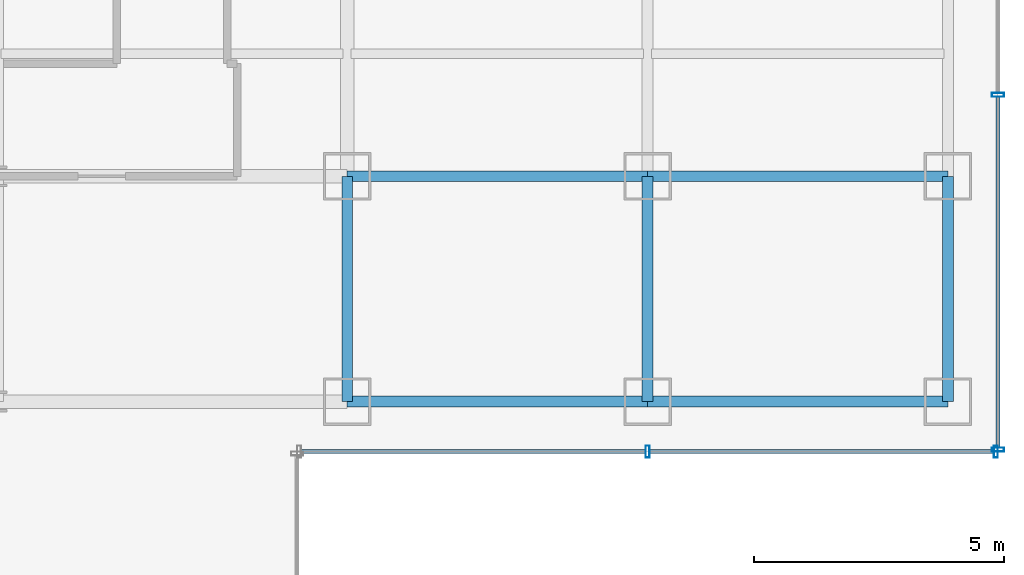
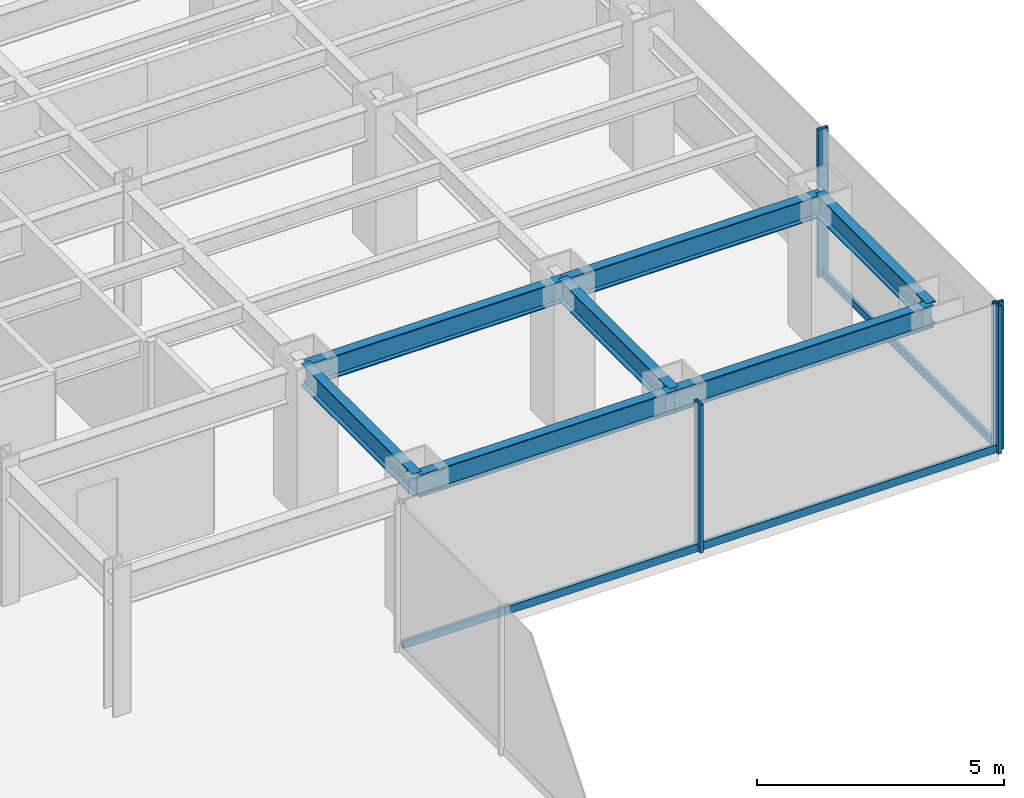
# One storey, part 7 of 22: 7 beams, 7 members, 2 elements without a shape of their own.
"""IFC4 building model written with IfcOpenShell, lengths in metres."""

from ifc_helpers import new_model, si_unit, derived_unit, direction, frame, origin, origin_2d, place, context, subcontext, project, spatial, hollow_rectangle, i_section, extrude, source, transform, mapped, material, material_profile, profile_set, type_object, element, aggregate, save


model = new_model("IFC4")

# Units and contexts
model_context = context("Model", 3, precision=1e-05, world=origin(), true_north=direction((0.0, 1.0)))
body_context = subcontext(model_context, "Body", "Model", "MODEL_VIEW")
ifc_project = project(units=[si_unit("LENGTHUNIT", "METRE"), si_unit("AREAUNIT", "SQUARE_METRE"), si_unit("VOLUMEUNIT", "CUBIC_METRE"), si_unit("PLANEANGLEUNIT", "RADIAN"), si_unit("MASSUNIT", "GRAM", prefix="KILO"), derived_unit("THERMALTRANSMITTANCEUNIT", [(si_unit("POWERUNIT", "WATT"), 1), (si_unit("LENGTHUNIT", "METRE"), -2), (si_unit("THERMODYNAMICTEMPERATUREUNIT", "KELVIN"), -1)])], contexts=[model_context])

# Site, building, storey
site_placement = place(None, origin())
site = spatial("IfcSite", under=ifc_project, at=site_placement, CompositionType="ELEMENT")
building_placement = place(site_placement, origin())
building = spatial("IfcBuilding", under=site, at=building_placement, Name="Skarnbrae Concourse Arena and Tower", CompositionType="ELEMENT")
storey_placement = place(building_placement, frame((0.0, 0.0, 69.0)))
storey = spatial("IfcBuildingStorey", under=building, at=storey_placement, Name="L16", CompositionType="ELEMENT", Elevation=69.0)

# Beams
ifc_material_1 = material(Name="Steel CSA G40.21 350W", Category="steel")
ifc_material_profile_1 = material_profile(ifc_material_1, i_section(OverallWidth=0.214111328125, OverallDepth=0.549072265625, WebThickness=0.0146484375, FlangeThickness=0.023681640625, at=origin_2d()), Name="W530X138")
ifc_profile_set_1 = profile_set([ifc_material_profile_1], Name="Steel CSA G40.21 350W")
beam_type = type_object("IfcBeamType", Name="BM-SPAN-W530X138", PredefinedType="SPANDREL", material=ifc_profile_set_1)
shared_shape_1 = source(origin(), body_context, "Body", "SweptSolid", [
    extrude(i_section(OverallWidth=0.214111328125, OverallDepth=0.549072265625, WebThickness=0.0146484375, FlangeThickness=0.023681640625, at=origin_2d()), origin(), (0.0, 0.0, 1.0), 6.0),
])
for number, where, z_axis, x_axis, name in (
    (1, (49.0, 9.5, 3.12548828125), (1.0, 0.0, 0.0), (0.0, 1.0, 0.0), "L16 Perimeter spandrel Y9.5-3"),
    (2, (55.0, 9.5, 3.12548828125), (1.0, 0.0, 0.0), (0.0, 1.0, 0.0), "L16 Perimeter spandrel Y9.5-4"),
    (3, (49.0, 14.0, 3.12548828125), (1.0, 0.0, 0.0), (0.0, 1.0, 0.0), "L16 Perimeter spandrel Y14.0-8"),
    (4, (55.0, 14.0, 3.12548828125), (1.0, 0.0, 0.0), (0.0, 1.0, 0.0), "L16 Perimeter spandrel Y14.0-9"),
):
    element("IfcBeam", number, at=place(storey_placement, frame(where, z_axis=z_axis, x_axis=x_axis)), inside=storey, type_object=beam_type, Name=name, PredefinedType="SPANDREL", context=body_context, shape_type="MappedRepresentation", body=[
        mapped(shared_shape_1, transform((0.0, 0.0, 0.0))),
    ])
shared_shape_2 = source(origin(), body_context, "Body", "SweptSolid", [
    extrude(i_section(OverallWidth=0.214111328125, OverallDepth=0.549072265625, WebThickness=0.0146484375, FlangeThickness=0.023681640625, at=origin_2d()), origin(), (0.0, 0.0, 1.0), 4.5),
])
for number, where, z_axis, x_axis, name in (
    (5, (49.0, 9.5, 3.12548828125), (0.0, 1.0, 0.0), (-1.0, 0.0, 0.0), "L16 Perimeter spandrel X49.0-1"),
    (6, (55.0, 9.5, 3.12548828125), (0.0, 1.0, 0.0), (-1.0, 0.0, 0.0), "L16 Perimeter spandrel X55.0-1"),
    (7, (61.0, 9.5, 3.12548828125), (0.0, 1.0, 0.0), (-1.0, 0.0, 0.0), "L16 Perimeter spandrel X61.0-1"),
):
    element("IfcBeam", number, at=place(storey_placement, frame(where, z_axis=z_axis, x_axis=x_axis)), inside=storey, type_object=beam_type, Name=name, PredefinedType="SPANDREL", context=body_context, shape_type="MappedRepresentation", body=[
        mapped(shared_shape_2, transform((0.0, 0.0, 0.0))),
    ])

# Curtain wall, members
ifc_material_2 = material(Name="Bronze anodised aluminium 6063-T6", Category="aluminium")
curtain_wall_type = type_object("IfcCurtainWallType", Name="CW-SYS-02-LOWZONE", PredefinedType="USERDEFINED", material=ifc_material_2)
curtain_wall_1_placement = place(storey_placement, origin())
curtain_wall_1 = element("IfcCurtainWall", 8, at=curtain_wall_1_placement, inside=storey, type_object=curtain_wall_type, Name="L16 Unitised curtain wall CW-L16-E03", ObjectType="UNITISED CURTAIN WALL", PredefinedType="USERDEFINED")
ifc_material_profile_2 = material_profile(ifc_material_2, hollow_rectangle(XDim=0.080078125, YDim=0.239990234375, WallThickness=0.0048828125, at=origin_2d()), Name="ALU-MULL-80X240")
ifc_profile_set_2 = profile_set([ifc_material_profile_2], Name="Bronze anodised aluminium 6063-T6")
member_type_1 = type_object("IfcMemberType", Name="CWM-CW-02", PredefinedType="MULLION", material=ifc_profile_set_2)
shared_shape_3 = source(origin(), body_context, "Body", "SweptSolid", [
    extrude(hollow_rectangle(XDim=0.080078125, YDim=0.239990234375, WallThickness=0.0048828125, at=origin_2d()), origin(), (0.0, 0.0, 1.0), 3.64990234375),
])
member_1_placement = place(storey_placement, frame((55.0, 8.5, 0.0), z_axis=(0.0, 0.0, 1.0), x_axis=(1.0, 0.0, 0.0)))
member_1 = element("IfcMember", 9, at=member_1_placement, type_object=member_type_1, Name="CW-L16-E03 Mullion 2", PredefinedType="MULLION", context=body_context, shape_type="MappedRepresentation", body=[
    mapped(shared_shape_3, transform((0.0, 0.0, 0.0))),
])
member_2_placement = place(storey_placement, frame((61.9599609375, 8.5, 0.0), z_axis=(0.0, 0.0, 1.0), x_axis=(1.0, 0.0, 0.0)))
member_2 = element("IfcMember", 10, at=member_2_placement, type_object=member_type_1, Name="CW-L16-E03 Mullion 3", PredefinedType="MULLION", context=body_context, shape_type="MappedRepresentation", body=[
    mapped(shared_shape_3, transform((0.0, 0.0, 0.0))),
])

curtain_wall_2_placement = place(storey_placement, origin())
curtain_wall_2 = element("IfcCurtainWall", 11, at=curtain_wall_2_placement, inside=storey, type_object=curtain_wall_type, Name="L16 Unitised curtain wall CW-L16-E04", ObjectType="UNITISED CURTAIN WALL", PredefinedType="USERDEFINED")
member_3_placement = place(storey_placement, frame((62.0, 8.5400390625, 0.0), z_axis=(0.0, 0.0, 1.0), x_axis=(0.0, 1.0, 0.0)))
member_3 = element("IfcMember", 12, at=member_3_placement, type_object=member_type_1, Name="CW-L16-E04 Mullion 1", PredefinedType="MULLION", context=body_context, shape_type="MappedRepresentation", body=[
    mapped(shared_shape_3, transform((0.0, 0.0, 0.0))),
])
member_4_placement = place(storey_placement, frame((62.0, 15.625, 0.0), z_axis=(0.0, 0.0, 1.0), x_axis=(0.0, 1.0, 0.0)))
member_4 = element("IfcMember", 13, at=member_4_placement, type_object=member_type_1, Name="CW-L16-E04 Mullion 2", PredefinedType="MULLION", context=body_context, shape_type="MappedRepresentation", body=[
    mapped(shared_shape_3, transform((0.0, 0.0, 0.0))),
])

# Member
ifc_material_profile_3 = material_profile(ifc_material_2, hollow_rectangle(XDim=0.080078125, YDim=0.18994140625, WallThickness=0.0048828125, at=origin_2d()), Name="ALU-TRAN-80X190")
ifc_profile_set_3 = profile_set([ifc_material_profile_3], Name="Bronze anodised aluminium 6063-T6")
member_type_2 = type_object("IfcMemberType", Name="CWT-CW-02", PredefinedType="USERDEFINED", material=ifc_profile_set_3)
shared_shape_4 = source(origin(), body_context, "Body", "SweptSolid", [
    extrude(hollow_rectangle(XDim=0.080078125, YDim=0.18994140625, WallThickness=0.0048828125, at=origin_2d()), origin(), (0.0, 0.0, 1.0), 6.8798828125),
])
member_5_placement = place(storey_placement, frame((48.080078125, 8.5, 0.094970703125), z_axis=(1.0, 0.0, 0.0), x_axis=(0.0, 1.0, 0.0)))
member_5 = element("IfcMember", 14, at=member_5_placement, type_object=member_type_2, Name="CW-L16-E03 Transom 1", ObjectType="TRANSOM", PredefinedType="USERDEFINED", context=body_context, shape_type="MappedRepresentation", body=[
    mapped(shared_shape_4, transform((0.0, 0.0, 0.0))),
])

member_6_placement = place(storey_placement, frame((55.0400390625, 8.5, 0.094970703125), z_axis=(1.0, 0.0, 0.0), x_axis=(0.0, 1.0, 0.0)))
member_6 = element("IfcMember", 15, at=member_6_placement, type_object=member_type_2, Name="CW-L16-E03 Transom 2", ObjectType="TRANSOM", PredefinedType="USERDEFINED", context=body_context, shape_type="MappedRepresentation", body=[
    mapped(shared_shape_4, transform((0.0, 0.0, 0.0))),
])

aggregate(curtain_wall_1, [member_1, member_2, member_5, member_6])

shared_shape_5 = source(origin(), body_context, "Body", "SweptSolid", [
    extrude(hollow_rectangle(XDim=0.080078125, YDim=0.18994140625, WallThickness=0.0048828125, at=origin_2d()), origin(), (0.0, 0.0, 1.0), 7.0048828125),
])
member_7_placement = place(storey_placement, frame((62.0, 8.580078125, 0.094970703125), z_axis=(0.0, 1.0, 0.0), x_axis=(-1.0, 0.0, 0.0)))
member_7 = element("IfcMember", 16, at=member_7_placement, type_object=member_type_2, Name="CW-L16-E04 Transom 1", ObjectType="TRANSOM", PredefinedType="USERDEFINED", context=body_context, shape_type="MappedRepresentation", body=[
    mapped(shared_shape_5, transform((0.0, 0.0, 0.0))),
])

aggregate(curtain_wall_2, [member_3, member_4, member_7])

save(model, "model.ifc")
